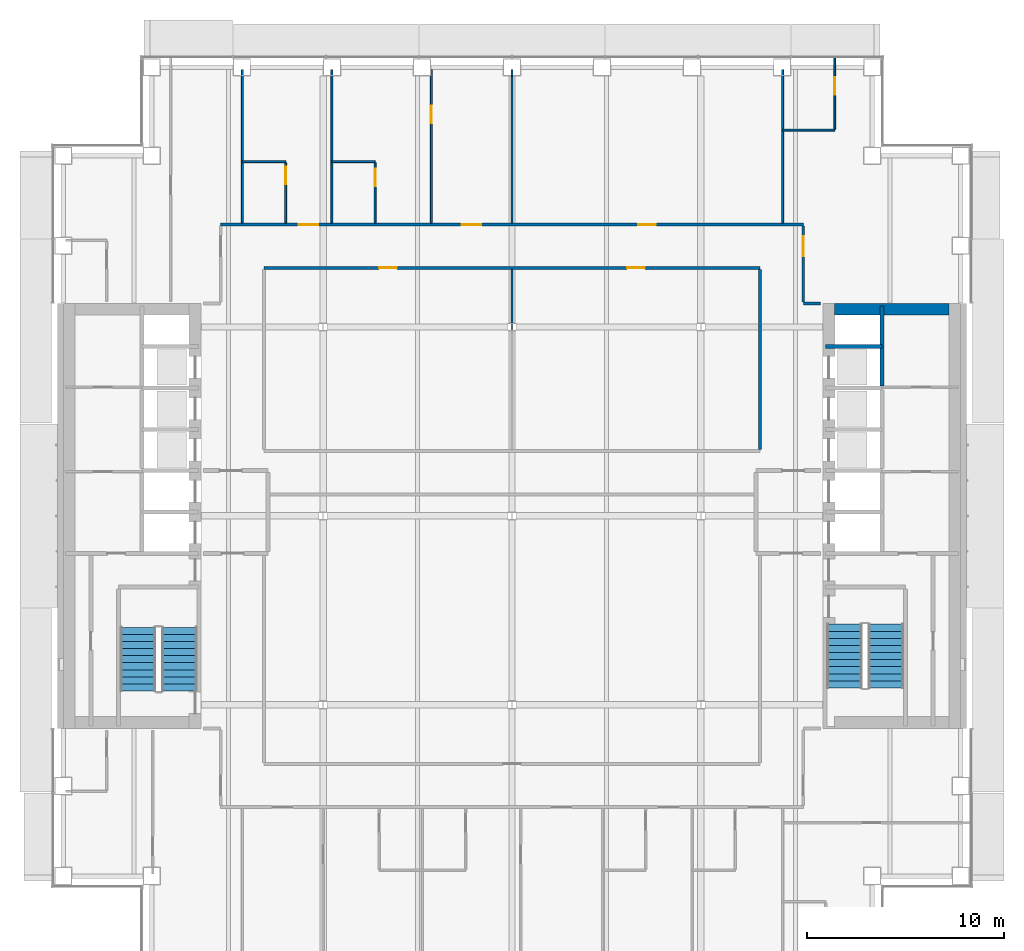
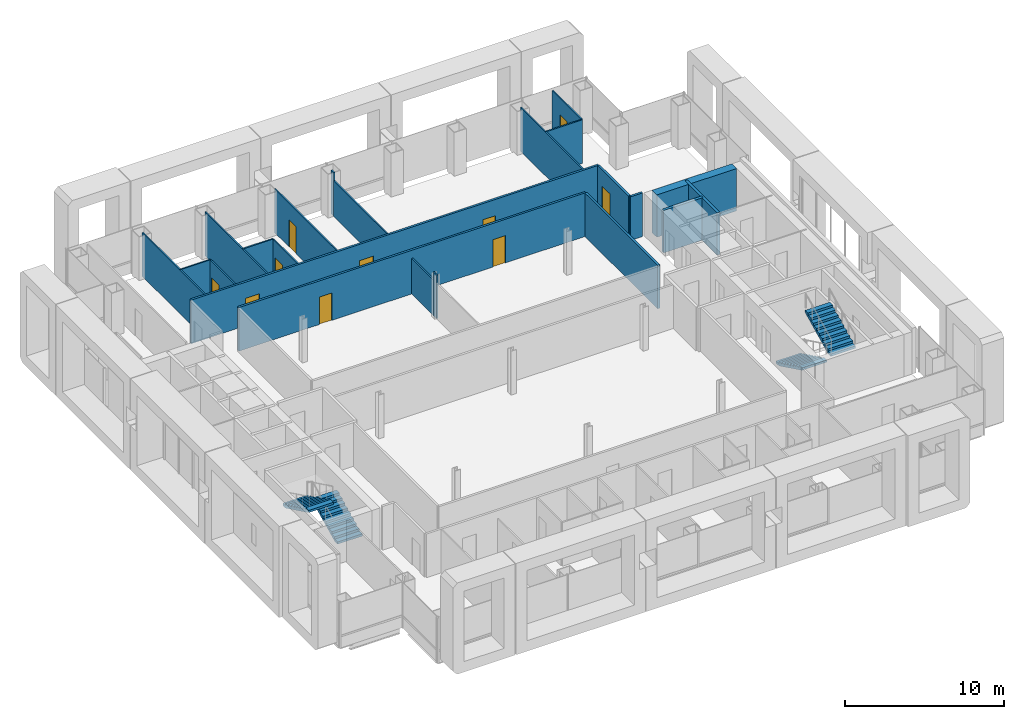
# One storey, part 13 of 19: 22 walls, 10 doors, 4 stair flights, 10 openings, 2 elements without a shape of their own.
"""IFC4 building model written with IfcOpenShell, lengths in metres."""

import ifcopenshell
import ifcopenshell.guid

model = None  # the IFC model being written
_history = None  # IfcOwnerHistory: only IFC2X3 demands one
_inside = {}  # id of a spatial element -> (the spatial element, [elements in it])
_under = {}  # id of a project, library or spatial element -> (it, [spatial elements below it])
_declared = {}  # id of a project -> (the project, [libraries it declares])
_typed = {}  # id of a type object -> (the type object, [elements of that type])
_made_of = {}  # id of a material, layer set ... -> (it, [elements and type objects made of it])


def new_model(schema):
    """Start an empty IFC model of exactly this schema.

    Asked for "IFC4X3", IfcOpenShell would pick the latest addendum, in which some entities
    have other attributes; the version numbers below select the first issue.
    IFC2X3 requires an IfcOwnerHistory on every rooted entity: one is made here for all.
    """
    global model, _history
    if schema == "IFC4X3":
        model = ifcopenshell.file(schema_version=(4, 3, 0, 0))
    else:
        model = ifcopenshell.file(schema=schema)
    _inside.clear()
    _under.clear()
    _declared.clear()
    _typed.clear()
    _made_of.clear()
    _history = None
    if model.schema == "IFC2X3":
        org = make("IfcOrganization", Name="unknown")
        user = make(
            "IfcPersonAndOrganization",
            ThePerson=make("IfcPerson", FamilyName="unknown"),
            TheOrganization=org,
        )
        app = make(
            "IfcApplication",
            ApplicationDeveloper=org,
            Version="unknown",
            ApplicationFullName="unknown",
            ApplicationIdentifier="unknown",
        )
        _history = make(
            "IfcOwnerHistory",
            OwningUser=user,
            OwningApplication=app,
            ChangeAction="ADDED",
            CreationDate=0,
        )
    return model


def make(cls, **values):
    """One entity of the class cls with the attributes given. An attribute that is None is left unset."""
    return model.create_entity(
        cls, **{name: value for name, value in values.items() if value is not None}
    )


def rooted(cls, **values):
    """An entity with a GlobalId (a new one), such as an element, a storey or a relation."""
    return make(cls, GlobalId=ifcopenshell.guid.new(), OwnerHistory=_history, **values)


def si_unit(unit_type, name, prefix=None):
    """IfcSIUnit, for example si_unit("LENGTHUNIT", "METRE", prefix="MILLI")."""
    return make("IfcSIUnit", UnitType=unit_type, Prefix=prefix, Name=name)


def assignment(units):
    """IfcUnitAssignment: the units of a project."""
    return None if units is None else make("IfcUnitAssignment", Units=units)


def point(xyz):
    """IfcCartesianPoint."""
    return None if xyz is None else make("IfcCartesianPoint", Coordinates=xyz)


def direction(xyz):
    """IfcDirection."""
    return None if xyz is None else make("IfcDirection", DirectionRatios=xyz)


def frame(location, z_axis=None, x_axis=None):
    """IfcAxis2Placement3D, a coordinate frame: its origin and axes. An axis left out is left unset."""
    return make(
        "IfcAxis2Placement3D",
        Location=point(location),
        Axis=direction(z_axis),
        RefDirection=direction(x_axis),
    )


def frame_2d(location, x_axis=None):
    """IfcAxis2Placement2D, a coordinate frame in the plane: its origin and x axis."""
    return make(
        "IfcAxis2Placement2D", Location=point(location), RefDirection=direction(x_axis)
    )


def origin():
    """The frame at (0, 0, 0) with its axes left unset."""
    return frame((0.0, 0.0, 0.0))


def place(relative_to, where):
    """IfcLocalPlacement: puts the frame where relative to a parent placement (None: the world)."""
    return make(
        "IfcLocalPlacement", PlacementRelTo=relative_to, RelativePlacement=where
    )


def context(
    kind, dimensions, precision=None, world=None, true_north=None, identifier=None
):
    """IfcGeometricRepresentationContext, for example the 3D "Model" context."""
    return make(
        "IfcGeometricRepresentationContext",
        ContextIdentifier=identifier,
        ContextType=kind,
        CoordinateSpaceDimension=dimensions,
        Precision=precision,
        WorldCoordinateSystem=world,
        TrueNorth=true_north,
    )


def subcontext(parent, identifier, kind, view, scale=None):
    """IfcGeometricRepresentationSubContext, for example "Body" below "Model"."""
    return make(
        "IfcGeometricRepresentationSubContext",
        ContextIdentifier=identifier,
        ContextType=kind,
        ParentContext=parent,
        TargetScale=scale,
        TargetView=view,
    )


def project(units=None, contexts=None):
    """IfcProject with its units and contexts."""
    return rooted(
        "IfcProject",
        Name="project",
        RepresentationContexts=contexts,
        UnitsInContext=assignment(units),
    )


def spatial(cls, under=None, at=None, **own):
    """A site, building, storey or space (cls), placed at a placement, below another one or the project."""
    s = rooted(cls, ObjectPlacement=at, **own)
    if under is not None:
        _under.setdefault(under.id(), (under, []))[1].append(s)
    return s


def polyline(points):
    """IfcPolyline through the points."""
    return make("IfcPolyline", Points=[point(p) for p in points])


def profile(cls, at=None, kind="AREA", **sizes):
    """A parametric profile (cls). Its sizes go by their IFC names, for example OverallWidth=200.0."""
    return make(cls, ProfileType=kind, Position=at, **sizes)


def rectangle(**sizes):
    """IfcRectangleProfileDef."""
    return profile("IfcRectangleProfileDef", **sizes)


def outline(outer, holes=None, kind="AREA"):
    """IfcArbitraryClosedProfileDef: a profile drawn as a closed curve; with holes, ...WithVoids."""
    if holes is None:
        return make("IfcArbitraryClosedProfileDef", ProfileType=kind, OuterCurve=outer)
    return make(
        "IfcArbitraryProfileDefWithVoids",
        ProfileType=kind,
        OuterCurve=outer,
        InnerCurves=holes,
    )


def extrude(swept, where, along, depth):
    """IfcExtrudedAreaSolid: the profile swept, set in the frame where, extruded along a direction by depth."""
    return make(
        "IfcExtrudedAreaSolid",
        SweptArea=swept,
        Position=where,
        ExtrudedDirection=direction(along),
        Depth=depth,
    )


def shape(context_of_items, identifier, shape_type, items):
    """IfcShapeRepresentation: the items that make up one representation, for example the "Body"."""
    return make(
        "IfcShapeRepresentation",
        ContextOfItems=context_of_items,
        RepresentationIdentifier=identifier,
        RepresentationType=shape_type,
        Items=items,
    )


def material(Name=None, Category=None):
    """IfcMaterial."""
    return make("IfcMaterial", Name=Name, Category=Category)


def layer(
    of_material, thickness, ventilated=None, Name=None, Category=None, Priority=None
):
    """IfcMaterialLayer: one layer of a wall or slab, of a material (None: an air gap)."""
    return make(
        "IfcMaterialLayer",
        Material=of_material,
        LayerThickness=thickness,
        IsVentilated=ventilated,
        Name=Name,
        Category=Category,
        Priority=Priority,
    )


def layer_set(layers, Name=None):
    """IfcMaterialLayerSet."""
    return make("IfcMaterialLayerSet", MaterialLayers=layers, LayerSetName=Name)


def made_of(thing, what):
    """Note that an element or type object is made of a material, layer set ...; save() writes the relation."""
    if what is not None:
        _made_of.setdefault(what.id(), (what, []))[1].append(thing)
    return thing


def type_object(cls, material=None, **own):
    """A type object (cls), such as IfcWallType, which elements share."""
    return made_of(rooted(cls, **own), material)


def element(
    cls,
    number,
    at=None,
    inside=None,
    cuts=None,
    type_object=None,
    material=None,
    context=None,
    identifier="Body",
    shape_type=None,
    held_by="IfcProductDefinitionShape",
    body=None,
    shapes=None,
    **own,
):
    """One element of the class cls, such as IfcWall. Its Tag is "e" and its number.

    at: its placement. inside: the storey or other place that contains it. cuts: it is an
    opening in that element (IfcRelVoidsElement). A single representation is given by context,
    identifier, shape_type and body (its items); several are given by shapes. held_by: the class
    of the entity that holds the representations. save() writes the other relations.
    """
    e = rooted(cls, Tag="e%d" % number, ObjectPlacement=at, **own)
    if body is not None:
        shapes = [shape(context, identifier, shape_type, body)]
    if shapes is not None:
        e.Representation = make(held_by, Representations=shapes)
    if inside is not None:
        _inside.setdefault(inside.id(), (inside, []))[1].append(e)
    if cuts is not None:
        rooted(
            "IfcRelVoidsElement", RelatingBuildingElement=cuts, RelatedOpeningElement=e
        )
    if type_object is not None:
        _typed.setdefault(type_object.id(), (type_object, []))[1].append(e)
    return made_of(e, material)


def fill(opening, filler):
    """IfcRelFillsElement: the door or window that sits in an opening."""
    return rooted(
        "IfcRelFillsElement",
        RelatingOpeningElement=opening,
        RelatedBuildingElement=filler,
    )


def aggregate(whole, parts):
    """IfcRelAggregates: a whole, such as a stair, and the parts it consists of."""
    return rooted("IfcRelAggregates", RelatingObject=whole, RelatedObjects=parts)


def save(model, path):
    """Write the relations noted so far, then the file.

    IfcRelAggregates (storeys below a building ...), IfcRelContainedInSpatialStructure (elements
    in a storey), IfcRelDefinesByType, IfcRelAssociatesMaterial and IfcRelDeclares: one each for
    every whole, place, type object, material and project.
    """
    for whole, parts in _under.values():
        aggregate(whole, parts)
    for where, things in _inside.values():
        rooted(
            "IfcRelContainedInSpatialStructure",
            RelatedElements=things,
            RelatingStructure=where,
        )
    for kind, things in _typed.values():
        rooted("IfcRelDefinesByType", RelatedObjects=things, RelatingType=kind)
    for what, things in _made_of.values():
        rooted("IfcRelAssociatesMaterial", RelatedObjects=things, RelatingMaterial=what)
    for by, libraries in _declared.values():
        rooted("IfcRelDeclares", RelatingContext=by, RelatedDefinitions=libraries)
    model.write(path)


model = new_model("IFC4")

# Units and contexts
model_context = context("Model", 3, precision=1e-05, world=origin(), true_north=direction((0.0, 1.0)))
body_context = subcontext(model_context, "Body", "Model", "MODEL_VIEW")
ifc_project = project(units=[si_unit("LENGTHUNIT", "METRE"), si_unit("AREAUNIT", "SQUARE_METRE"), si_unit("VOLUMEUNIT", "CUBIC_METRE"), si_unit("PLANEANGLEUNIT", "RADIAN"), si_unit("MASSUNIT", "GRAM", prefix="KILO")], contexts=[model_context])

# Site, building, storey
site_placement = place(None, origin())
site = spatial("IfcSite", under=ifc_project, at=site_placement, CompositionType="ELEMENT")
building_placement = place(site_placement, origin())
building = spatial("IfcBuilding", under=site, at=building_placement, Name="Cobrizo Arcos Hotel Tower", CompositionType="ELEMENT")
storey_placement = place(building_placement, frame((0.0, 0.0, 103.0)))
storey = spatial("IfcBuildingStorey", under=building, at=storey_placement, Name="L25", CompositionType="ELEMENT", Elevation=103.0)

# Wall
ifc_material_1 = material(Name="Gypsum board partition")
ifc_layer_1 = layer(ifc_material_1, 0.14990234375)
ifc_layer_set_1 = layer_set([ifc_layer_1], Name="Corridor wall EI 60 150")
wall_type_1 = type_object("IfcWallType", Name="Corridor wall EI 60 150", PredefinedType="PARTITIONING", material=ifc_layer_set_1)
wall_1_placement = place(storey_placement, frame((14.800048828125, 10.800048828125, 0.0), z_axis=(0.0, 0.0, 1.0), x_axis=(1.0, 0.0, 0.0)))
element("IfcWall", 1, at=wall_1_placement, inside=storey, type_object=wall_type_1, Name="Partition 036", PredefinedType="PARTITIONING", context=body_context, shape_type="SweptSolid", body=[
    extrude(rectangle(XDim=0.8798828125, YDim=0.14990234375, at=frame_2d((0.43994140625, 0.0))), origin(), (0.0, 0.0, 1.0), 3.35009765625),
])

# Wall, openings, doors
wall_2_placement = place(storey_placement, frame((-12.60009765625, 12.60009765625, 0.0), z_axis=(0.0, 0.0, 1.0), x_axis=(1.0, 0.0, 0.0)))
wall_2 = element("IfcWall", 2, at=wall_2_placement, inside=storey, type_object=wall_type_1, Name="Partition 037", PredefinedType="PARTITIONING", context=body_context, shape_type="SweptSolid", body=[
    extrude(rectangle(XDim=25.2001953125, YDim=0.14990234375, at=frame_2d((12.60009765625, 0.0))), origin(), (0.0, 0.0, 1.0), 3.35009765625),
])
opening_1_placement = place(wall_2_placement, frame((5.85009765625, 0.0, 0.0)))
opening_1 = element("IfcOpeningElement", 3, at=opening_1_placement, cuts=wall_2, Name="Opening RD-16", PredefinedType="OPENING", context=body_context, shape_type="SweptSolid", body=[
    extrude(rectangle(XDim=0.89990234375, YDim=2.10009765625, at=frame_2d((0.449951171875, 1.050048828125))), frame((0.0, 0.0869140625, 0.0), z_axis=(0.0, -1.0, 0.0), x_axis=(1.0, 0.0, 0.0)), (0.0, 0.0, 1.0), 0.173828125),
])
opening_2_placement = place(wall_2_placement, frame((18.449951171875, 0.0, 0.0)))
opening_2 = element("IfcOpeningElement", 4, at=opening_2_placement, cuts=wall_2, Name="Opening RD-17", PredefinedType="OPENING", context=body_context, shape_type="SweptSolid", body=[
    extrude(rectangle(XDim=0.89990234375, YDim=2.10009765625, at=frame_2d((0.449951171875, 1.050048828125))), frame((0.0, 0.0869140625, 0.0), z_axis=(0.0, -1.0, 0.0), x_axis=(1.0, 0.0, 0.0)), (0.0, 0.0, 1.0), 0.173828125),
])
ifc_material_2 = material(Name="Timber door leaf", Category="wood")
door_type_1 = type_object("IfcDoorType", Name="Room door FD30 900x2100", OperationType="SINGLE_SWING_LEFT", PredefinedType="DOOR", material=ifc_material_2)
door_1_placement = place(opening_1_placement, origin())
door_1 = element("IfcDoor", 5, at=door_1_placement, inside=storey, type_object=door_type_1, Name="Door RD-16", OperationType="SINGLE_SWING_LEFT", OverallHeight=2.10009765625, OverallWidth=0.89990234375, PredefinedType="DOOR", context=body_context, shape_type="SweptSolid", body=[
    extrude(rectangle(XDim=0.89990234375, YDim=2.10009765625, at=frame_2d((0.449951171875, 1.050048828125))), frame((0.0, 0.02490234375, 0.0), z_axis=(0.0, -1.0, 0.0), x_axis=(1.0, 0.0, 0.0)), (0.0, 0.0, 1.0), 0.050048828125),
])
fill(opening_1, door_1)
door_2_placement = place(opening_2_placement, origin())
door_2 = element("IfcDoor", 6, at=door_2_placement, inside=storey, type_object=door_type_1, Name="Door RD-17", OperationType="SINGLE_SWING_LEFT", OverallHeight=2.10009765625, OverallWidth=0.89990234375, PredefinedType="DOOR", context=body_context, shape_type="SweptSolid", body=[
    extrude(rectangle(XDim=0.89990234375, YDim=2.10009765625, at=frame_2d((0.449951171875, 1.050048828125))), frame((0.0, 0.02490234375, 0.0), z_axis=(0.0, -1.0, 0.0), x_axis=(1.0, 0.0, 0.0)), (0.0, 0.0, 1.0), 0.050048828125),
])
fill(opening_2, door_2)

wall_3_placement = place(storey_placement, frame((-14.800048828125, 14.800048828125, 0.0), z_axis=(0.0, 0.0, 1.0), x_axis=(1.0, 0.0, 0.0)))
wall_3 = element("IfcWall", 7, at=wall_3_placement, inside=storey, type_object=wall_type_1, Name="Partition 039", PredefinedType="PARTITIONING", context=body_context, shape_type="SweptSolid", body=[
    extrude(rectangle(XDim=29.60009765625, YDim=0.14990234375, at=frame_2d((14.800048828125, 0.0))), origin(), (0.0, 0.0, 1.0), 3.35009765625),
])
opening_3_placement = place(wall_3_placement, frame((3.962890625, 0.0, 0.0)))
opening_3 = element("IfcOpeningElement", 8, at=opening_3_placement, cuts=wall_3, Name="Opening GD-01", PredefinedType="OPENING", context=body_context, shape_type="SweptSolid", body=[
    extrude(rectangle(XDim=1.0, YDim=2.10009765625, at=frame_2d((0.5, 1.050048828125))), frame((0.0, 0.0869140625, 0.0), z_axis=(0.0, -1.0, 0.0), x_axis=(1.0, 0.0, 0.0)), (0.0, 0.0, 1.0), 0.173828125),
])
opening_4_placement = place(wall_3_placement, frame((12.240966796875, 0.0, 0.0)))
opening_4 = element("IfcOpeningElement", 9, at=opening_4_placement, cuts=wall_3, Name="Opening GD-02", PredefinedType="OPENING", context=body_context, shape_type="SweptSolid", body=[
    extrude(rectangle(XDim=1.0, YDim=2.10009765625, at=frame_2d((0.5, 1.050048828125))), frame((0.0, 0.0869140625, 0.0), z_axis=(0.0, -1.0, 0.0), x_axis=(1.0, 0.0, 0.0)), (0.0, 0.0, 1.0), 0.173828125),
])
opening_5_placement = place(wall_3_placement, frame((21.212890625, 0.0, 0.0)))
opening_5 = element("IfcOpeningElement", 10, at=opening_5_placement, cuts=wall_3, Name="Opening RD-10", PredefinedType="OPENING", context=body_context, shape_type="SweptSolid", body=[
    extrude(rectangle(XDim=0.89990234375, YDim=2.10009765625, at=frame_2d((0.449951171875, 1.050048828125))), frame((0.0, 0.0869140625, 0.0), z_axis=(0.0, -1.0, 0.0), x_axis=(1.0, 0.0, 0.0)), (0.0, 0.0, 1.0), 0.173828125),
])
door_type_2 = type_object("IfcDoorType", Name="Guest room door FD30S 1000x2100", OperationType="SINGLE_SWING_LEFT", PredefinedType="DOOR", material=ifc_material_2)
door_3_placement = place(opening_3_placement, origin())
door_3 = element("IfcDoor", 11, at=door_3_placement, inside=storey, type_object=door_type_2, Name="Door GD-01", OperationType="SINGLE_SWING_LEFT", OverallHeight=2.10009765625, OverallWidth=1.0, PredefinedType="DOOR", context=body_context, shape_type="SweptSolid", body=[
    extrude(rectangle(XDim=1.0, YDim=2.10009765625, at=frame_2d((0.5, 1.050048828125))), frame((0.0, 0.02490234375, 0.0), z_axis=(0.0, -1.0, 0.0), x_axis=(1.0, 0.0, 0.0)), (0.0, 0.0, 1.0), 0.050048828125),
])
fill(opening_3, door_3)
door_4_placement = place(opening_4_placement, origin())
door_4 = element("IfcDoor", 12, at=door_4_placement, inside=storey, type_object=door_type_2, Name="Door GD-02", OperationType="SINGLE_SWING_LEFT", OverallHeight=2.10009765625, OverallWidth=1.0, PredefinedType="DOOR", context=body_context, shape_type="SweptSolid", body=[
    extrude(rectangle(XDim=1.0, YDim=2.10009765625, at=frame_2d((0.5, 1.050048828125))), frame((0.0, 0.02490234375, 0.0), z_axis=(0.0, -1.0, 0.0), x_axis=(1.0, 0.0, 0.0)), (0.0, 0.0, 1.0), 0.050048828125),
])
fill(opening_4, door_4)
door_5_placement = place(opening_5_placement, origin())
door_5 = element("IfcDoor", 13, at=door_5_placement, inside=storey, type_object=door_type_1, Name="Door RD-10", OperationType="SINGLE_SWING_RIGHT", OverallHeight=2.10009765625, OverallWidth=0.89990234375, PredefinedType="DOOR", context=body_context, shape_type="SweptSolid", body=[
    extrude(rectangle(XDim=0.89990234375, YDim=2.10009765625, at=frame_2d((0.449951171875, 1.050048828125))), frame((0.0, 0.02490234375, 0.0), z_axis=(0.0, -1.0, 0.0), x_axis=(1.0, 0.0, 0.0)), (0.0, 0.0, 1.0), 0.050048828125),
])
fill(opening_5, door_5)

# Wall
wall_4_placement = place(storey_placement, frame((12.60009765625, 3.375, 0.0), z_axis=(0.0, 0.0, 1.0), x_axis=(0.0, 1.0, 0.0)))
element("IfcWall", 14, at=wall_4_placement, inside=storey, type_object=wall_type_1, Name="Partition 081", PredefinedType="PARTITIONING", context=body_context, shape_type="SweptSolid", body=[
    extrude(rectangle(XDim=9.14990234375, YDim=0.14990234375, at=frame_2d((4.574951171875, 0.0))), origin(), (0.0, 0.0, 1.0), 3.35009765625),
])

# Wall, opening, door
wall_5_placement = place(storey_placement, frame((14.800048828125, 10.875, 0.0), z_axis=(0.0, 0.0, 1.0), x_axis=(0.0, 1.0, 0.0)))
wall_5 = element("IfcWall", 15, at=wall_5_placement, inside=storey, type_object=wall_type_1, Name="Partition 085", PredefinedType="PARTITIONING", context=body_context, shape_type="SweptSolid", body=[
    extrude(rectangle(XDim=3.85009765625, YDim=0.14990234375, at=frame_2d((1.925048828125, 0.0))), origin(), (0.0, 0.0, 1.0), 3.35009765625),
])
opening_6_placement = place(wall_5_placement, frame((2.324951171875, 0.0, 0.0)))
opening_6 = element("IfcOpeningElement", 16, at=opening_6_placement, cuts=wall_5, Name="Opening GD-10", PredefinedType="OPENING", context=body_context, shape_type="SweptSolid", body=[
    extrude(rectangle(XDim=1.0, YDim=2.10009765625, at=frame_2d((0.5, 1.050048828125))), frame((0.0, 0.0869140625, 0.0), z_axis=(0.0, -1.0, 0.0), x_axis=(1.0, 0.0, 0.0)), (0.0, 0.0, 1.0), 0.173828125),
])
door_6_placement = place(opening_6_placement, origin())
door_6 = element("IfcDoor", 17, at=door_6_placement, inside=storey, type_object=door_type_2, Name="Door GD-10", OperationType="SINGLE_SWING_LEFT", OverallHeight=2.10009765625, OverallWidth=1.0, PredefinedType="DOOR", context=body_context, shape_type="SweptSolid", body=[
    extrude(rectangle(XDim=1.0, YDim=2.10009765625, at=frame_2d((0.5, 1.050048828125))), frame((0.0, 0.02490234375, 0.0), z_axis=(0.0, -1.0, 0.0), x_axis=(1.0, 0.0, 0.0)), (0.0, 0.0, 1.0), 0.050048828125),
])
fill(opening_6, door_6)

# Walls
ifc_layer_2 = layer(ifc_material_1, 0.10009765625)
ifc_layer_set_2 = layer_set([ifc_layer_2], Name="Partition EI 30 100")
wall_type_2 = type_object("IfcWallType", Name="Partition EI 30 100", PredefinedType="PARTITIONING", material=ifc_layer_set_2)
for number, where, z_axis, x_axis, name in (
    (18, (-13.699951171875, 18.0, 0.0), (0.0, 0.0, 1.0), (1.0, 0.0, 0.0), "Partition 040"),
    (19, (-9.14990234375, 18.0, 0.0), (0.0, 0.0, 1.0), (1.0, 0.0, 0.0), "Partition 041"),
):
    element("IfcWall", number, at=place(storey_placement, frame(where, z_axis=z_axis, x_axis=x_axis)), inside=storey, type_object=wall_type_2, Name=name, PredefinedType="PARTITIONING", context=body_context, shape_type="SweptSolid", body=[
        extrude(rectangle(XDim=2.199951171875, YDim=0.10009765625, at=frame_2d((1.10009765625, 0.0))), origin(), (0.0, 0.0, 1.0), 3.35009765625),
    ])
wall_6_placement = place(storey_placement, frame((13.75, 19.60009765625, 0.0), z_axis=(0.0, 0.0, 1.0), x_axis=(1.0, 0.0, 0.0)))
element("IfcWall", 20, at=wall_6_placement, inside=storey, type_object=wall_type_2, Name="Partition 042", PredefinedType="PARTITIONING", context=body_context, shape_type="SweptSolid", body=[
    extrude(rectangle(XDim=2.64990234375, YDim=0.10009765625, at=frame_2d((1.324951171875, 0.0))), origin(), (0.0, 0.0, 1.0), 3.35009765625),
])
wall_7_placement = place(storey_placement, frame((-13.699951171875, 14.875, 0.0), z_axis=(0.0, 0.0, 1.0), x_axis=(0.0, 1.0, 0.0)))
element("IfcWall", 21, at=wall_7_placement, inside=storey, type_object=wall_type_2, Name="Partition 055", PredefinedType="PARTITIONING", context=body_context, shape_type="SweptSolid", body=[
    extrude(rectangle(XDim=7.804931640625, YDim=0.10009765625, at=frame_2d((3.90234375, 0.0))), origin(), (0.0, 0.0, 1.0), 3.35009765625),
])

# Wall, opening, door
wall_8_placement = place(storey_placement, frame((-11.5, 14.875, 0.0), z_axis=(0.0, 0.0, 1.0), x_axis=(0.0, 1.0, 0.0)))
wall_8 = element("IfcWall", 22, at=wall_8_placement, inside=storey, type_object=wall_type_2, Name="Partition 059", PredefinedType="PARTITIONING", context=body_context, shape_type="SweptSolid", body=[
    extrude(rectangle(XDim=3.074951171875, YDim=0.10009765625, at=frame_2d((1.53759765625, 0.0))), origin(), (0.0, 0.0, 1.0), 3.35009765625),
])
opening_7_placement = place(wall_8_placement, frame((1.970947265625, 0.0, 0.0)))
opening_7 = element("IfcOpeningElement", 23, at=opening_7_placement, cuts=wall_8, Name="Opening ED-01", PredefinedType="OPENING", context=body_context, shape_type="SweptSolid", body=[
    extrude(rectangle(XDim=0.89990234375, YDim=2.10009765625, at=frame_2d((0.449951171875, 1.050048828125))), frame((0.0, 0.06201171875, 0.0), z_axis=(0.0, -1.0, 0.0), x_axis=(1.0, 0.0, 0.0)), (0.0, 0.0, 1.0), 0.1240234375),
])
door_type_3 = type_object("IfcDoorType", Name="En-suite door 900x2100", OperationType="SINGLE_SWING_LEFT", PredefinedType="DOOR", material=ifc_material_2)
door_7_placement = place(opening_7_placement, origin())
door_7 = element("IfcDoor", 24, at=door_7_placement, inside=storey, type_object=door_type_3, Name="Door ED-01", OperationType="SINGLE_SWING_LEFT", OverallHeight=2.10009765625, OverallWidth=0.89990234375, PredefinedType="DOOR", context=body_context, shape_type="SweptSolid", body=[
    extrude(rectangle(XDim=0.89990234375, YDim=2.10009765625, at=frame_2d((0.449951171875, 1.050048828125))), frame((0.0, 0.02490234375, 0.0), z_axis=(0.0, -1.0, 0.0), x_axis=(1.0, 0.0, 0.0)), (0.0, 0.0, 1.0), 0.050048828125),
])
fill(opening_7, door_7)

# Wall
wall_9_placement = place(storey_placement, frame((-9.14990234375, 14.875, 0.0), z_axis=(0.0, 0.0, 1.0), x_axis=(0.0, 1.0, 0.0)))
element("IfcWall", 25, at=wall_9_placement, inside=storey, type_object=wall_type_2, Name="Partition 062", PredefinedType="PARTITIONING", context=body_context, shape_type="SweptSolid", body=[
    extrude(rectangle(XDim=7.804931640625, YDim=0.10009765625, at=frame_2d((3.90234375, 0.0))), origin(), (0.0, 0.0, 1.0), 3.35009765625),
])

# Wall, opening, door
wall_10_placement = place(storey_placement, frame((-6.949951171875, 14.875, 0.0), z_axis=(0.0, 0.0, 1.0), x_axis=(0.0, 1.0, 0.0)))
wall_10 = element("IfcWall", 26, at=wall_10_placement, inside=storey, type_object=wall_type_2, Name="Partition 063", PredefinedType="PARTITIONING", context=body_context, shape_type="SweptSolid", body=[
    extrude(rectangle(XDim=3.074951171875, YDim=0.10009765625, at=frame_2d((1.53759765625, 0.0))), origin(), (0.0, 0.0, 1.0), 3.35009765625),
])
opening_8_placement = place(wall_10_placement, frame((1.875, 0.0, 0.0)))
opening_8 = element("IfcOpeningElement", 27, at=opening_8_placement, cuts=wall_10, Name="Opening ED-02", PredefinedType="OPENING", context=body_context, shape_type="SweptSolid", body=[
    extrude(rectangle(XDim=0.89990234375, YDim=2.10009765625, at=frame_2d((0.449951171875, 1.050048828125))), frame((0.0, 0.06201171875, 0.0), z_axis=(0.0, -1.0, 0.0), x_axis=(1.0, 0.0, 0.0)), (0.0, 0.0, 1.0), 0.1240234375),
])
door_8_placement = place(opening_8_placement, origin())
door_8 = element("IfcDoor", 28, at=door_8_placement, inside=storey, type_object=door_type_3, Name="Door ED-02", OperationType="SINGLE_SWING_RIGHT", OverallHeight=2.10009765625, OverallWidth=0.89990234375, PredefinedType="DOOR", context=body_context, shape_type="SweptSolid", body=[
    extrude(rectangle(XDim=0.89990234375, YDim=2.10009765625, at=frame_2d((0.449951171875, 1.050048828125))), frame((0.0, 0.02490234375, 0.0), z_axis=(0.0, -1.0, 0.0), x_axis=(1.0, 0.0, 0.0)), (0.0, 0.0, 1.0), 0.050048828125),
])
fill(opening_8, door_8)

wall_11_placement = place(storey_placement, frame((-4.10009765625, 14.875, 0.0), z_axis=(0.0, 0.0, 1.0), x_axis=(0.0, 1.0, 0.0)))
wall_11 = element("IfcWall", 29, at=wall_11_placement, inside=storey, type_object=wall_type_2, Name="Partition 067", PredefinedType="PARTITIONING", context=body_context, shape_type="SweptSolid", body=[
    extrude(rectangle(XDim=7.804931640625, YDim=0.10009765625, at=frame_2d((3.90234375, 0.0))), origin(), (0.0, 0.0, 1.0), 3.35009765625),
])
opening_9_placement = place(wall_11_placement, frame((5.074951171875, 0.0, 0.0)))
opening_9 = element("IfcOpeningElement", 30, at=opening_9_placement, cuts=wall_11, Name="Opening RD-09", PredefinedType="OPENING", context=body_context, shape_type="SweptSolid", body=[
    extrude(rectangle(XDim=0.89990234375, YDim=2.10009765625, at=frame_2d((0.449951171875, 1.050048828125))), frame((0.0, 0.06201171875, 0.0), z_axis=(0.0, -1.0, 0.0), x_axis=(1.0, 0.0, 0.0)), (0.0, 0.0, 1.0), 0.1240234375),
])
door_9_placement = place(opening_9_placement, origin())
door_9 = element("IfcDoor", 31, at=door_9_placement, inside=storey, type_object=door_type_1, Name="Door RD-09", OperationType="SINGLE_SWING_LEFT", OverallHeight=2.10009765625, OverallWidth=0.89990234375, PredefinedType="DOOR", context=body_context, shape_type="SweptSolid", body=[
    extrude(rectangle(XDim=0.89990234375, YDim=2.10009765625, at=frame_2d((0.449951171875, 1.050048828125))), frame((0.0, 0.02490234375, 0.0), z_axis=(0.0, -1.0, 0.0), x_axis=(1.0, 0.0, 0.0)), (0.0, 0.0, 1.0), 0.050048828125),
])
fill(opening_9, door_9)

# Walls
wall_12_placement = place(storey_placement, frame((0.0, 9.40087890625, 0.0), z_axis=(0.0, 0.0, 1.0), x_axis=(0.0, 1.0, 0.0)))
element("IfcWall", 32, at=wall_12_placement, inside=storey, type_object=wall_type_2, Name="Partition 070", PredefinedType="PARTITIONING", context=body_context, shape_type="SweptSolid", body=[
    extrude(rectangle(XDim=0.398193359375, YDim=0.10009765625, at=frame_2d((0.19921875, 0.0))), origin(), (0.0, 0.0, 1.0), 3.35009765625),
])
wall_13_placement = place(storey_placement, frame((0.0, 9.799072265625, 0.0), z_axis=(0.0, 0.0, 1.0), x_axis=(0.0, 1.0, 0.0)))
element("IfcWall", 33, at=wall_13_placement, inside=storey, type_object=wall_type_2, Name="Partition 071", PredefinedType="PARTITIONING", context=body_context, shape_type="SweptSolid", body=[
    extrude(rectangle(XDim=2.725830078125, YDim=0.10009765625, at=frame_2d((1.36279296875, 0.0))), origin(), (0.0, 0.0, 1.0), 2.72802734375),
])
wall_14_placement = place(storey_placement, frame((0.0, 14.875, 0.0), z_axis=(0.0, 0.0, 1.0), x_axis=(0.0, 1.0, 0.0)))
element("IfcWall", 34, at=wall_14_placement, inside=storey, type_object=wall_type_2, Name="Partition 072", PredefinedType="PARTITIONING", context=body_context, shape_type="SweptSolid", body=[
    extrude(rectangle(XDim=7.47509765625, YDim=0.10009765625, at=frame_2d((3.737548828125, 0.0))), origin(), (0.0, 0.0, 1.0), 2.72802734375),
])
wall_15_placement = place(storey_placement, frame((0.0, 22.35009765625, 0.0), z_axis=(0.0, 0.0, 1.0), x_axis=(0.0, 1.0, 0.0)))
element("IfcWall", 35, at=wall_15_placement, inside=storey, type_object=wall_type_2, Name="Partition 073", PredefinedType="PARTITIONING", context=body_context, shape_type="SweptSolid", body=[
    extrude(rectangle(XDim=0.329833984375, YDim=0.10009765625, at=frame_2d((0.1650390625, 0.0))), origin(), (0.0, 0.0, 1.0), 3.35009765625),
])
wall_16_placement = place(storey_placement, frame((13.75, 14.875, 0.0), z_axis=(0.0, 0.0, 1.0), x_axis=(0.0, 1.0, 0.0)))
element("IfcWall", 36, at=wall_16_placement, inside=storey, type_object=wall_type_2, Name="Partition 083", PredefinedType="PARTITIONING", context=body_context, shape_type="SweptSolid", body=[
    extrude(rectangle(XDim=7.804931640625, YDim=0.10009765625, at=frame_2d((3.90234375, 0.0))), origin(), (0.0, 0.0, 1.0), 3.35009765625),
])

# Wall, opening, door
wall_17_placement = place(storey_placement, frame((16.39990234375, 19.64990234375, 0.0), z_axis=(0.0, 0.0, 1.0), x_axis=(0.0, 1.0, 0.0)))
wall_17 = element("IfcWall", 37, at=wall_17_placement, inside=storey, type_object=wall_type_2, Name="Partition 087", PredefinedType="PARTITIONING", context=body_context, shape_type="SweptSolid", body=[
    extrude(rectangle(XDim=3.630126953125, YDim=0.10009765625, at=frame_2d((1.81494140625, 0.0))), origin(), (0.0, 0.0, 1.0), 3.35009765625),
])
opening_10_placement = place(wall_17_placement, frame((1.739990234375, 0.0, 0.0)))
opening_10 = element("IfcOpeningElement", 38, at=opening_10_placement, cuts=wall_17, Name="Opening ED-10", PredefinedType="OPENING", context=body_context, shape_type="SweptSolid", body=[
    extrude(rectangle(XDim=0.89990234375, YDim=2.10009765625, at=frame_2d((0.449951171875, 1.050048828125))), frame((0.0, 0.06201171875, 0.0), z_axis=(0.0, -1.0, 0.0), x_axis=(1.0, 0.0, 0.0)), (0.0, 0.0, 1.0), 0.1240234375),
])
door_10_placement = place(opening_10_placement, origin())
door_10 = element("IfcDoor", 39, at=door_10_placement, inside=storey, type_object=door_type_3, Name="Door ED-10", OperationType="SINGLE_SWING_RIGHT", OverallHeight=2.10009765625, OverallWidth=0.89990234375, PredefinedType="DOOR", context=body_context, shape_type="SweptSolid", body=[
    extrude(rectangle(XDim=0.89990234375, YDim=2.10009765625, at=frame_2d((0.449951171875, 1.050048828125))), frame((0.0, 0.02490234375, 0.0), z_axis=(0.0, -1.0, 0.0), x_axis=(1.0, 0.0, 0.0)), (0.0, 0.0, 1.0), 0.050048828125),
])
fill(opening_10, door_10)

# Walls
ifc_material_3 = material(Name="Concrete f'c 50 MPa", Category="concrete")
ifc_layer_3 = layer(ifc_material_3, 0.60009765625)
ifc_layer_set_3 = layer_set([ifc_layer_3], Name="RC core wall 600 f'c 50")
wall_type_3 = type_object("IfcWallType", Name="RC core wall 600 f'c 50", PredefinedType="SHEAR", material=ifc_layer_set_3)
wall_18_placement = place(storey_placement, frame((16.39990234375, 10.5, 0.0), z_axis=(0.0, 0.0, 1.0), x_axis=(1.0, 0.0, 0.0)))
element("IfcWall", 40, at=wall_18_placement, inside=storey, type_object=wall_type_3, Name="Core wall CW2, east core, north end, L25", PredefinedType="SHEAR", context=body_context, shape_type="SweptSolid", body=[
    extrude(rectangle(XDim=5.800048828125, YDim=0.60009765625, at=frame_2d((2.89990234375, 0.0))), origin(), (0.0, 0.0, 1.0), 3.25),
])
ifc_layer_4 = layer(ifc_material_1, 0.199951171875)
ifc_layer_set_4 = layer_set([ifc_layer_4], Name="Shaft wall EI 120 200")
wall_type_4 = type_object("IfcWallType", Name="Shaft wall EI 120 200", PredefinedType="PARTITIONING", material=ifc_layer_set_4)
wall_19_placement = place(storey_placement, frame((15.919921875, 8.60009765625, 0.0), z_axis=(0.0, 0.0, 1.0), x_axis=(1.0, 0.0, 0.0)))
element("IfcWall", 41, at=wall_19_placement, inside=storey, type_object=wall_type_4, Name="Partition 034", PredefinedType="PARTITIONING", context=body_context, shape_type="SweptSolid", body=[
    extrude(rectangle(XDim=2.880126953125, YDim=0.199951171875, at=frame_2d((1.43994140625, 0.0))), origin(), (0.0, 0.0, 1.0), 3.25),
])
wall_20_placement = place(storey_placement, frame((18.800048828125, 6.60009765625, 0.0), z_axis=(0.0, 0.0, 1.0), x_axis=(0.0, 1.0, 0.0)))
element("IfcWall", 42, at=wall_20_placement, inside=storey, type_object=wall_type_4, Name="Partition 090", PredefinedType="PARTITIONING", context=body_context, shape_type="SweptSolid", body=[
    extrude(rectangle(XDim=4.079833984375, YDim=0.199951171875, at=frame_2d((2.0400390625, 0.0))), origin(), (0.0, 0.0, 1.0), 3.25),
])

# Stair, stair flights
ifc_material_4 = material(Name="Concrete f'c 40 MPa", Category="concrete")
stair_type = type_object("IfcStairType", Name="Exit stair", PredefinedType="HALF_TURN_STAIR", material=ifc_material_4)
stair_1_placement = place(storey_placement, origin())
stair_1 = element("IfcStair", 43, at=stair_1_placement, inside=storey, type_object=stair_type, Name="L25 Exit stair ST-W", PredefinedType="HALF_TURN_STAIR")
stair_flight_type = type_object("IfcStairFlightType", Name="Exit stair flight", PredefinedType="STRAIGHT", material=ifc_material_4)
stair_flight_1_placement = place(storey_placement, frame((-16.89990234375, -8.89990234375, 0.0), z_axis=(0.0, 0.0, 1.0), x_axis=(0.0, 1.0, 0.0)))
stair_flight_1 = element("IfcStairFlight", 44, at=stair_flight_1_placement, type_object=stair_flight_type, Name="ST-W flight 1", NumberOfRisers=10, NumberOfTreads=9, PredefinedType="STRAIGHT", RiserHeight=0.175, TreadLength=0.36, context=body_context, shape_type="SweptSolid", body=[
    extrude(outline(polyline([(0.0, 0.0), (0.0, 0.175048828125), (0.360107421875, 0.175048828125), (0.360107421875, 0.35009765625), (0.719970703125, 0.35009765625), (0.719970703125, 0.52490234375), (1.080078125, 0.52490234375), (1.080078125, 0.699951171875), (1.43994140625, 0.699951171875), (1.43994140625, 0.875), (1.800048828125, 0.875), (1.800048828125, 1.050048828125), (2.159912109375, 1.050048828125), (2.159912109375, 1.22509765625), (2.52001953125, 1.22509765625), (2.52001953125, 1.39990234375), (2.8798828125, 1.39990234375), (2.8798828125, 1.574951171875), (3.239990234375, 1.574951171875), (3.239990234375, 1.75), (3.239990234375, 1.408203125), (0.3427734375, 0.0), (0.0, 0.0)])), frame((0.0, 0.89990234375, 0.0), z_axis=(0.0, -1.0, 0.0), x_axis=(1.0, 0.0, 0.0)), (0.0, 0.0, 1.0), 1.800048828125),
])
stair_flight_2_placement = place(storey_placement, frame((-19.0, -5.659912109375, 1.75), z_axis=(0.0, 0.0, 1.0), x_axis=(0.0, -1.0, 0.0)))
stair_flight_2 = element("IfcStairFlight", 45, at=stair_flight_2_placement, type_object=stair_flight_type, Name="ST-W flight 2", NumberOfRisers=10, NumberOfTreads=9, PredefinedType="STRAIGHT", RiserHeight=0.175, TreadLength=0.36, context=body_context, shape_type="SweptSolid", body=[
    extrude(outline(polyline([(0.0, 0.0), (0.0, 0.175048828125), (0.360107421875, 0.175048828125), (0.360107421875, 0.35009765625), (0.719970703125, 0.35009765625), (0.719970703125, 0.52490234375), (1.080078125, 0.52490234375), (1.080078125, 0.699951171875), (1.43994140625, 0.699951171875), (1.43994140625, 0.875), (1.800048828125, 0.875), (1.800048828125, 1.050048828125), (2.159912109375, 1.050048828125), (2.159912109375, 1.22509765625), (2.52001953125, 1.22509765625), (2.52001953125, 1.39990234375), (2.8798828125, 1.39990234375), (2.8798828125, 1.574951171875), (3.239990234375, 1.574951171875), (3.239990234375, 1.75), (3.239990234375, 1.408203125), (0.3427734375, 0.0), (0.0, 0.0)])), frame((0.0, 0.89990234375, 0.0), z_axis=(0.0, -1.0, 0.0), x_axis=(1.0, 0.0, 0.0)), (0.0, 0.0, 1.0), 1.800048828125),
])
aggregate(stair_1, [stair_flight_1, stair_flight_2])

stair_2_placement = place(storey_placement, origin())
stair_2 = element("IfcStair", 46, at=stair_2_placement, inside=storey, type_object=stair_type, Name="L25 Exit stair ST-E", PredefinedType="HALF_TURN_STAIR")
stair_flight_3_placement = place(storey_placement, frame((16.89990234375, -5.5, 0.0), z_axis=(0.0, 0.0, 1.0), x_axis=(0.0, -1.0, 0.0)))
stair_flight_3 = element("IfcStairFlight", 47, at=stair_flight_3_placement, type_object=stair_flight_type, Name="ST-E flight 1", NumberOfRisers=10, NumberOfTreads=9, PredefinedType="STRAIGHT", RiserHeight=0.175, TreadLength=0.36, context=body_context, shape_type="SweptSolid", body=[
    extrude(outline(polyline([(0.0, 0.0), (0.0, 0.175048828125), (0.360107421875, 0.175048828125), (0.360107421875, 0.35009765625), (0.719970703125, 0.35009765625), (0.719970703125, 0.52490234375), (1.080078125, 0.52490234375), (1.080078125, 0.699951171875), (1.43994140625, 0.699951171875), (1.43994140625, 0.875), (1.800048828125, 0.875), (1.800048828125, 1.050048828125), (2.159912109375, 1.050048828125), (2.159912109375, 1.22509765625), (2.52001953125, 1.22509765625), (2.52001953125, 1.39990234375), (2.8798828125, 1.39990234375), (2.8798828125, 1.574951171875), (3.239990234375, 1.574951171875), (3.239990234375, 1.75), (3.239990234375, 1.408203125), (0.3427734375, 0.0), (0.0, 0.0)])), frame((0.0, 0.89990234375, 0.0), z_axis=(0.0, -1.0, 0.0), x_axis=(1.0, 0.0, 0.0)), (0.0, 0.0, 1.0), 1.800048828125),
])
stair_flight_4_placement = place(storey_placement, frame((19.0, -8.739990234375, 1.75), z_axis=(0.0, 0.0, 1.0), x_axis=(0.0, 1.0, 0.0)))
stair_flight_4 = element("IfcStairFlight", 48, at=stair_flight_4_placement, type_object=stair_flight_type, Name="ST-E flight 2", NumberOfRisers=10, NumberOfTreads=9, PredefinedType="STRAIGHT", RiserHeight=0.175, TreadLength=0.36, context=body_context, shape_type="SweptSolid", body=[
    extrude(outline(polyline([(0.0, 0.0), (0.0, 0.175048828125), (0.360107421875, 0.175048828125), (0.360107421875, 0.35009765625), (0.719970703125, 0.35009765625), (0.719970703125, 0.52490234375), (1.080078125, 0.52490234375), (1.080078125, 0.699951171875), (1.43994140625, 0.699951171875), (1.43994140625, 0.875), (1.800048828125, 0.875), (1.800048828125, 1.050048828125), (2.159912109375, 1.050048828125), (2.159912109375, 1.22509765625), (2.52001953125, 1.22509765625), (2.52001953125, 1.39990234375), (2.8798828125, 1.39990234375), (2.8798828125, 1.574951171875), (3.239990234375, 1.574951171875), (3.239990234375, 1.75), (3.239990234375, 1.408203125), (0.3427734375, 0.0), (0.0, 0.0)])), frame((0.0, 0.89990234375, 0.0), z_axis=(0.0, -1.0, 0.0), x_axis=(1.0, 0.0, 0.0)), (0.0, 0.0, 1.0), 1.800048828125),
])
aggregate(stair_2, [stair_flight_3, stair_flight_4])

save(model, "model.ifc")
